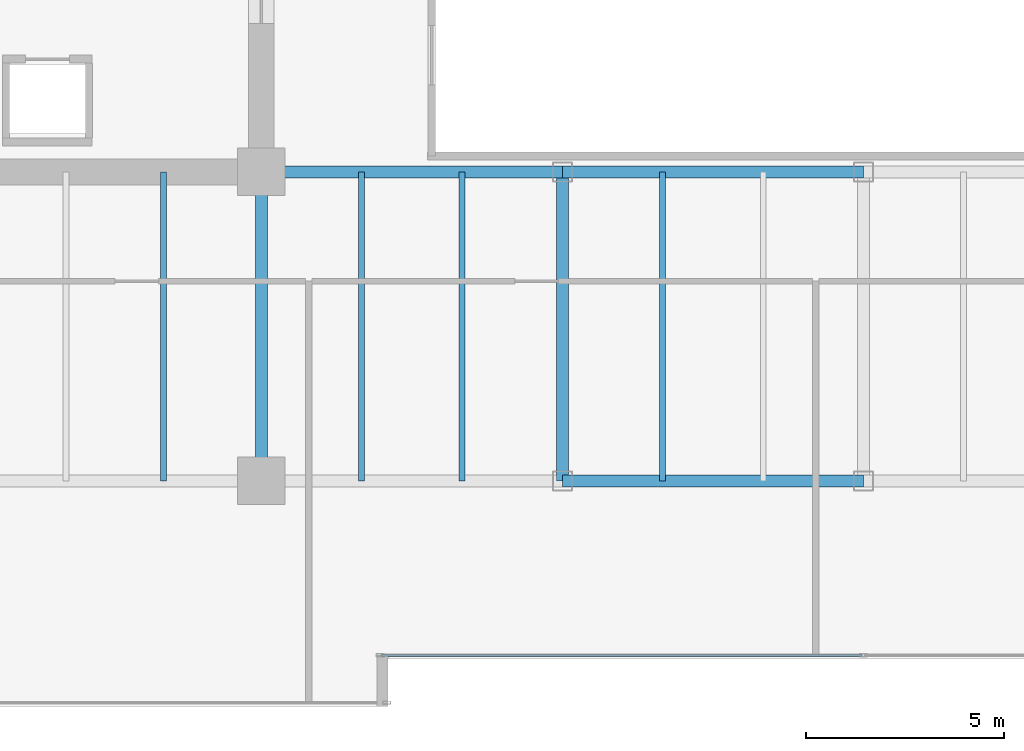
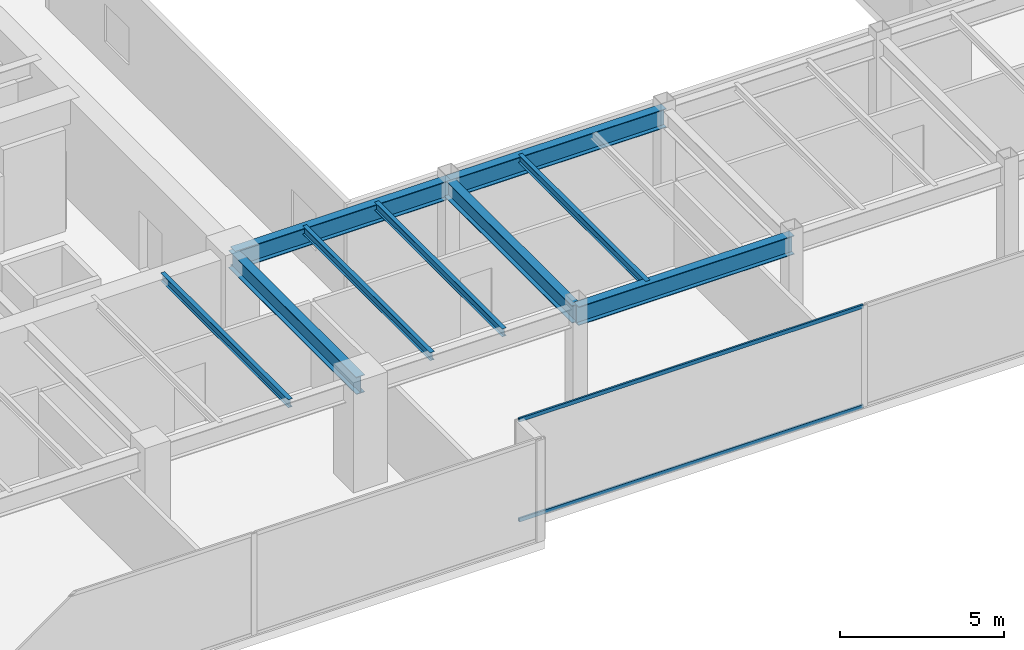
# One storey, part 5 of 30: 9 beams, 2 members, 1 element without a shape of its own.
"""IFC4 building model written with IfcOpenShell, lengths in metres."""

from ifc_helpers import new_model, si_unit, direction, frame, origin, origin_2d, place, context, subcontext, project, spatial, hollow_rectangle, i_section, extrude, source, transform, mapped, material, layer, layer_set, material_profile, profile_set, type_object, type_shapes, element, aggregate, save


model = new_model("IFC4")

# Units and contexts
model_context = context("Model", 3, precision=1e-05, world=origin(), true_north=direction((0.0, 1.0)))
body_context = subcontext(model_context, "Body", "Model", "MODEL_VIEW")
ifc_project = project(units=[si_unit("LENGTHUNIT", "METRE"), si_unit("AREAUNIT", "SQUARE_METRE"), si_unit("VOLUMEUNIT", "CUBIC_METRE"), si_unit("PLANEANGLEUNIT", "RADIAN"), si_unit("MASSUNIT", "GRAM", prefix="KILO")], contexts=[model_context])

# Site, building, storey
site_placement = place(None, origin())
site = spatial("IfcSite", under=ifc_project, at=site_placement, CompositionType="ELEMENT")
building_placement = place(site_placement, origin())
building = spatial("IfcBuilding", under=site, at=building_placement, Name="Haelvirn Gate Laboratories", CompositionType="ELEMENT")
storey_placement = place(building_placement, frame((0.0, 0.0, 125.60009765625)))
storey = spatial("IfcBuildingStorey", under=building, at=storey_placement, Name="L30", CompositionType="ELEMENT", Elevation=125.60009765625)

# Beams
ifc_material_1 = material(Name="Steel SM355", Category="steel")
ifc_material_profile_1 = material_profile(ifc_material_1, i_section(OverallWidth=0.300048828125, OverallDepth=0.64990234375, WebThickness=0.012939453125, FlangeThickness=0.02197265625, at=origin_2d()), Name="H-650x300x13x22")
ifc_profile_set_1 = profile_set([ifc_material_profile_1], Name="Steel SM355")
beam_type_1 = type_object("IfcBeamType", Name="BM-G-650", PredefinedType="BEAM", material=ifc_profile_set_1)
shared_shape_1 = source(origin(), body_context, "Body", "SweptSolid", [
    extrude(i_section(OverallWidth=0.300048828125, OverallDepth=0.64990234375, WebThickness=0.012939453125, FlangeThickness=0.02197265625, at=origin_2d()), origin(), (0.0, 0.0, 1.0), 7.800048828125),
])
type_shapes(beam_type_1, [shared_shape_1])
for number, where, z_axis, x_axis, name in (
    (1, (22.199951171875, 7.0, 3.46484375), (0.0, 1.0, 0.0), (-1.0, 0.0, 0.0), "L30 Frame Girder X22.2 (7.0-14.8)"),
    (2, (29.800048828125, 7.0, 3.46484375), (0.0, 1.0, 0.0), (-1.0, 0.0, 0.0), "L30 Frame Girder X29.8 (7.0-14.8)"),
):
    element("IfcBeam", number, at=place(storey_placement, frame(where, z_axis=z_axis, x_axis=x_axis)), inside=storey, type_object=beam_type_1, Name=name, PredefinedType="BEAM", context=body_context, shape_type="MappedRepresentation", body=[
        mapped(shared_shape_1, transform((0.0, 0.0, 0.0), scale=1.0)),
    ])
ifc_material_profile_2 = material_profile(ifc_material_1, i_section(OverallWidth=0.300048828125, OverallDepth=0.699951171875, WebThickness=0.012939453125, FlangeThickness=0.02392578125, at=origin_2d()), Name="H-700x300x13x24")
ifc_profile_set_2 = profile_set([ifc_material_profile_2], Name="Steel SM355")
beam_type_2 = type_object("IfcBeamType", Name="BM-G-700", PredefinedType="BEAM", material=ifc_profile_set_2)
shared_shape_2 = source(origin(), body_context, "Body", "SweptSolid", [
    extrude(i_section(OverallWidth=0.300048828125, OverallDepth=0.699951171875, WebThickness=0.012939453125, FlangeThickness=0.02392578125, at=origin_2d()), origin(), (0.0, 0.0, 1.0), 7.60009765625),
])
beam_placement = place(storey_placement, frame((22.199951171875, 14.800048828125, 3.43994140625), z_axis=(1.0, 0.0, 0.0), x_axis=(0.0, 1.0, 0.0)))
element("IfcBeam", 3, at=beam_placement, inside=storey, type_object=beam_type_2, Name="L30 Primary Girder Y14.8 (22.2-29.8)", PredefinedType="BEAM", context=body_context, shape_type="MappedRepresentation", body=[
    mapped(shared_shape_2, transform((0.0, 0.0, 0.0), scale=1.0)),
])
shared_shape_3 = source(origin(), body_context, "Body", "SweptSolid", [
    extrude(i_section(OverallWidth=0.300048828125, OverallDepth=0.699951171875, WebThickness=0.012939453125, FlangeThickness=0.02392578125, at=origin_2d()), origin(), (0.0, 0.0, 1.0), 7.599853515625),
])
type_shapes(beam_type_2, [shared_shape_2, shared_shape_3])
for number, where, z_axis, x_axis, name in (
    (4, (29.800048828125, 7.0, 3.43994140625), (1.0, 0.0, 0.0), (0.0, 1.0, 0.0), "L30 Primary Girder Y7.0 (29.8-37.4)"),
    (5, (29.800048828125, 14.800048828125, 3.43994140625), (1.0, 0.0, 0.0), (0.0, 1.0, 0.0), "L30 Primary Girder Y14.8 (29.8-37.4)"),
):
    element("IfcBeam", number, at=place(storey_placement, frame(where, z_axis=z_axis, x_axis=x_axis)), inside=storey, type_object=beam_type_2, Name=name, PredefinedType="BEAM", context=body_context, shape_type="MappedRepresentation", body=[
        mapped(shared_shape_3, transform((0.0, 0.0, 0.0), scale=1.0)),
    ])
ifc_material_profile_3 = material_profile(ifc_material_1, i_section(OverallWidth=0.14990234375, OverallDepth=0.300048828125, WebThickness=0.006591796875, FlangeThickness=0.009033203125, at=origin_2d()), Name="H-300x150x6.5x9")
ifc_profile_set_3 = profile_set([ifc_material_profile_3], Name="Steel SM355")
beam_type_3 = type_object("IfcBeamType", Name="BM-J-300", PredefinedType="JOIST", material=ifc_profile_set_3)
shared_shape_4 = source(origin(), body_context, "Body", "SweptSolid", [
    extrude(i_section(OverallWidth=0.14990234375, OverallDepth=0.300048828125, WebThickness=0.006591796875, FlangeThickness=0.009033203125, at=origin_2d()), origin(), (0.0, 0.0, 1.0), 7.800048828125),
])
type_shapes(beam_type_3, [shared_shape_4])
for number, where, z_axis, x_axis, name in (
    (6, (19.72998046875, 7.0, 3.639892578125), (0.0, 1.0, 0.0), (-1.0, 0.0, 0.0), "L30 Composite Lab Joist South X19.73"),
    (7, (24.72998046875, 7.0, 3.639892578125), (0.0, 1.0, 0.0), (-1.0, 0.0, 0.0), "L30 Composite Lab Joist South X24.73"),
    (8, (27.27001953125, 7.0, 3.639892578125), (0.0, 1.0, 0.0), (-1.0, 0.0, 0.0), "L30 Composite Lab Joist South X27.27"),
    (9, (32.330078125, 7.0, 3.639892578125), (0.0, 1.0, 0.0), (-1.0, 0.0, 0.0), "L30 Composite Lab Joist South X32.33"),
):
    element("IfcBeam", number, at=place(storey_placement, frame(where, z_axis=z_axis, x_axis=x_axis)), inside=storey, type_object=beam_type_3, Name=name, PredefinedType="JOIST", context=body_context, shape_type="MappedRepresentation", body=[
        mapped(shared_shape_4, transform((0.0, 0.0, 0.0), scale=1.0)),
    ])

# Curtain wall, members
ifc_material_2 = material(Name="Anodised bronze unitised aluminium & triple low-E glass", Category="aluminium")
ifc_layer = layer(ifc_material_2, 0.179931640625, Name="CW-SYS-3")
ifc_layer_set = layer_set([ifc_layer], Name="Anodised bronze unitised aluminium & triple low-E glass")
curtain_wall_type = type_object("IfcCurtainWallType", Name="CW-SYS-3", PredefinedType="NOTDEFINED", material=ifc_layer_set)
curtain_wall_placement = place(storey_placement, origin())
curtain_wall = element("IfcCurtainWall", 10, at=curtain_wall_placement, inside=storey, type_object=curtain_wall_type, Name="L30 Unitised Curtain Wall CW-L30-P0-E02-1", PredefinedType="NOTDEFINED")
ifc_material_3 = material(Name="Extruded aluminium 6063-T6 (anodised bronze)", Category="aluminium")
ifc_material_profile_4 = material_profile(ifc_material_3, hollow_rectangle(XDim=0.06494140625, YDim=0.139892578125, WallThickness=0.00390625, at=origin_2d()), Name="CWT-140x65x4")
ifc_profile_set_4 = profile_set([ifc_material_profile_4], Name="Extruded aluminium 6063-T6 (anodised bronze)")
member_type = type_object("IfcMemberType", Name="CWT-T140", PredefinedType="USERDEFINED", material=ifc_profile_set_4)
shared_shape_5 = source(origin(), body_context, "Body", "SweptSolid", [
    extrude(hollow_rectangle(XDim=0.06494140625, YDim=0.139892578125, WallThickness=0.00390625, at=origin_2d()), origin(), (0.0, 0.0, 1.0), 12.12744140625),
])
type_shapes(member_type, [shared_shape_5])
member_1_placement = place(storey_placement, frame((25.235107421875, 2.60009765625, 0.032470703125), z_axis=(1.0, 0.0, 0.0), x_axis=(0.0, 1.0, 0.0)))
member_1 = element("IfcMember", 11, at=member_1_placement, type_object=member_type, Name="CW3 transom 1.1", ObjectType="TRANSOM", PredefinedType="USERDEFINED", context=body_context, shape_type="MappedRepresentation", body=[
    mapped(shared_shape_5, transform((0.0, 0.0, 0.0), scale=1.0)),
])
member_2_placement = place(storey_placement, frame((25.235107421875, 2.60009765625, 3.75732421875), z_axis=(1.0, 0.0, 0.0), x_axis=(0.0, 1.0, 0.0)))
member_2 = element("IfcMember", 12, at=member_2_placement, type_object=member_type, Name="CW3 transom 1.2", ObjectType="TRANSOM", PredefinedType="USERDEFINED", context=body_context, shape_type="MappedRepresentation", body=[
    mapped(shared_shape_5, transform((0.0, 0.0, 0.0), scale=1.0)),
])
aggregate(curtain_wall, [member_1, member_2])

save(model, "model.ifc")
